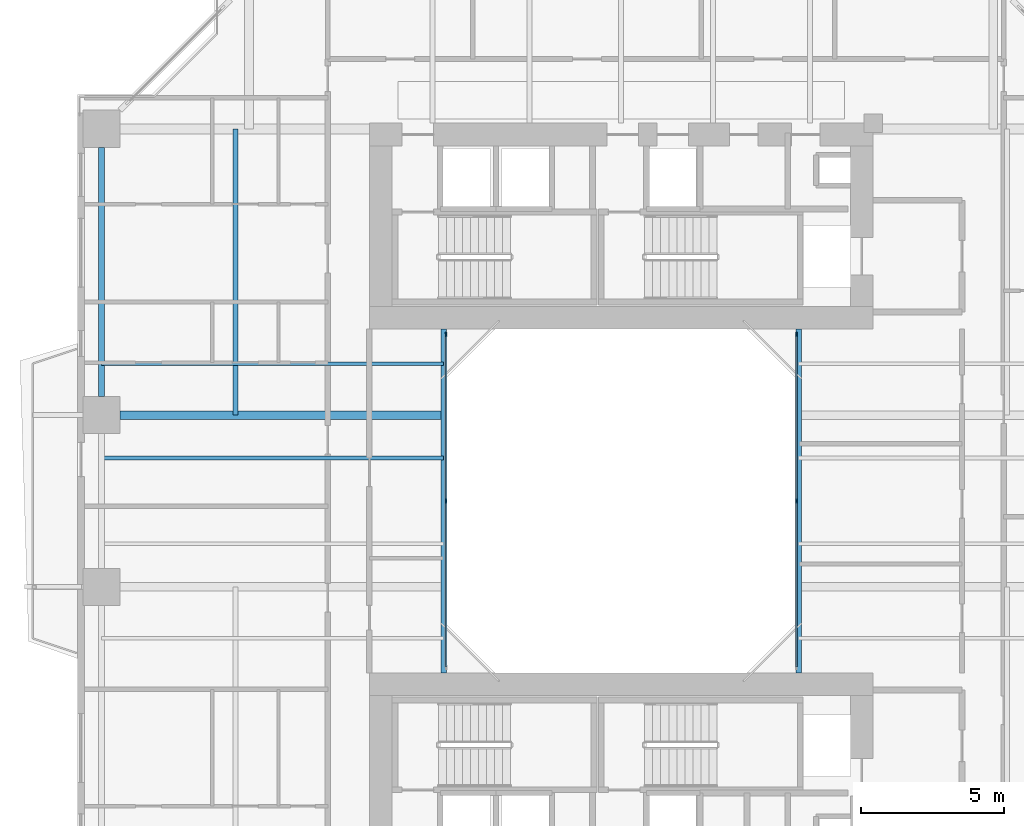
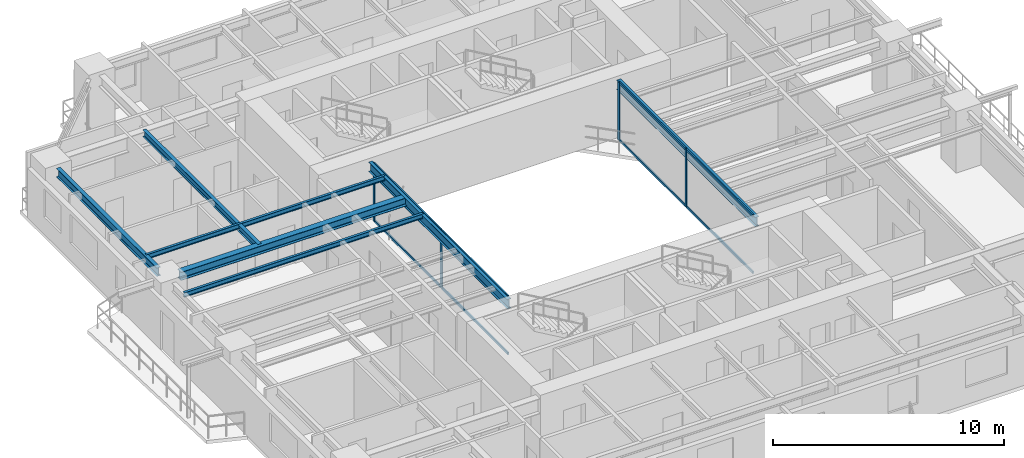
# One storey, part 4 of 23: 12 members, 7 beams, 2 elements without a shape of their own.
"""IFC4 building model written with IfcOpenShell, lengths in metres."""

from ifc_helpers import new_model, si_unit, direction, frame, origin, origin_2d, place, context, subcontext, project, spatial, rectangle, i_section, extrude, source, transform, mapped, material, layer, layer_set, material_profile, profile_set, type_object, element, aggregate, save


model = new_model("IFC4")

# Units and contexts
model_context = context("Model", 3, precision=1e-05, world=origin(), true_north=direction((0.0, 1.0)))
body_context = subcontext(model_context, "Body", "Model", "MODEL_VIEW")
ifc_project = project(units=[si_unit("LENGTHUNIT", "METRE"), si_unit("AREAUNIT", "SQUARE_METRE"), si_unit("VOLUMEUNIT", "CUBIC_METRE"), si_unit("PLANEANGLEUNIT", "RADIAN"), si_unit("MASSUNIT", "GRAM", prefix="KILO"), si_unit("THERMODYNAMICTEMPERATUREUNIT", "KELVIN"), si_unit("POWERUNIT", "WATT")], contexts=[model_context])

# Site, building, storey
site_placement = place(None, origin())
site = spatial("IfcSite", under=ifc_project, at=site_placement, CompositionType="ELEMENT")
building_placement = place(site_placement, origin())
building = spatial("IfcBuilding", under=site, at=building_placement, Name="Qiaomeng Ring Towers", CompositionType="ELEMENT")
storey_placement = place(building_placement, frame((0.0, 0.0, 66.5)))
storey = spatial("IfcBuildingStorey", under=building, at=storey_placement, Name="L18", CompositionType="ELEMENT", Elevation=66.5)

# Beams
ifc_material_1 = material(Name="Steel Q355B", Category="steel")
ifc_material_profile_1 = material_profile(ifc_material_1, i_section(OverallWidth=0.199951171875, OverallDepth=0.5, WebThickness=0.010009765625, FlangeThickness=0.01611328125, FilletRadius=0.02001953125, at=origin_2d()), Name="HN 500x200x10x16")
ifc_profile_set_1 = profile_set([ifc_material_profile_1], Name="Steel Q355B")
beam_type_1 = type_object("IfcBeamType", Name="STR-BM-HN500", PredefinedType="BEAM", material=ifc_profile_set_1)
shared_shape_1 = source(origin(), body_context, "Body", "SweptSolid", [
    extrude(i_section(OverallWidth=0.199951171875, OverallDepth=0.5, WebThickness=0.010009765625, FlangeThickness=0.01611328125, FilletRadius=0.02001953125, at=origin_2d()), origin(), (0.0, 0.0, 1.0), 12.0),
])
for number, where, z_axis, x_axis, name in (
    (1, (12.800048828125, 17.0, 2.820068359375), (0.0, 1.0, 0.0), (-1.0, 0.0, 0.0), "L18 beam STR-BM-L18-WELL-W"),
    (2, (25.199951171875, 17.0, 2.820068359375), (0.0, 1.0, 0.0), (-1.0, 0.0, 0.0), "L18 beam STR-BM-L18-WELL-E"),
):
    element("IfcBeam", number, at=place(storey_placement, frame(where, z_axis=z_axis, x_axis=x_axis)), inside=storey, type_object=beam_type_1, Name=name, PredefinedType="BEAM", context=body_context, shape_type="MappedRepresentation", body=[
        mapped(shared_shape_1, transform((0.0, 0.0, 0.0), x_axis=(1.0, 0.0, 0.0), y_axis=(0.0, 1.0, 0.0), z_axis=(0.0, 0.0, 1.0), scale=1.0)),
    ])
ifc_material_profile_2 = material_profile(ifc_material_1, i_section(OverallWidth=0.199951171875, OverallDepth=0.449951171875, WebThickness=0.009033203125, FlangeThickness=0.013916015625, FilletRadius=0.01806640625, at=origin_2d()), Name="HN 450x200x9x14")
ifc_profile_set_2 = profile_set([ifc_material_profile_2], Name="Steel Q355B")
beam_type_2 = type_object("IfcBeamType", Name="STR-BM-HN450", PredefinedType="SPANDREL", material=ifc_profile_set_2)
shared_shape_2 = source(origin(), body_context, "Body", "SweptSolid", [
    extrude(i_section(OverallWidth=0.199951171875, OverallDepth=0.449951171875, WebThickness=0.009033203125, FlangeThickness=0.013916015625, FilletRadius=0.01806640625, at=origin_2d()), origin(), (0.0, 0.0, 1.0), 8.7021484375),
])
beam_1_placement = place(storey_placement, frame((0.85009765625, 35.35107421875, 2.844970703125), z_axis=(0.0, -1.0, 0.0), x_axis=(1.0, 0.0, 0.0)))
element("IfcBeam", 3, at=beam_1_placement, inside=storey, type_object=beam_type_2, Name="L18 beam STR-SP-L18-T1-W4-W3", PredefinedType="SPANDREL", context=body_context, shape_type="MappedRepresentation", body=[
    mapped(shared_shape_2, transform((0.0, 0.0, 0.0), x_axis=(1.0, 0.0, 0.0), y_axis=(0.0, 1.0, 0.0), z_axis=(0.0, 0.0, 1.0), scale=1.0)),
])
ifc_material_profile_3 = material_profile(ifc_material_1, i_section(OverallWidth=0.300048828125, OverallDepth=0.43994140625, WebThickness=0.010986328125, FlangeThickness=0.01806640625, FilletRadius=0.02392578125, at=origin_2d()), Name="HM 440x300x11x18")
ifc_profile_set_3 = profile_set([ifc_material_profile_3], Name="Steel Q355B")
beam_type_3 = type_object("IfcBeamType", Name="STR-BM-HM440", PredefinedType="BEAM", material=ifc_profile_set_3)
shared_shape_3 = source(origin(), body_context, "Body", "SweptSolid", [
    extrude(i_section(OverallWidth=0.300048828125, OverallDepth=0.43994140625, WebThickness=0.010986328125, FlangeThickness=0.01806640625, FilletRadius=0.02392578125, at=origin_2d()), origin(), (0.0, 0.0, 1.0), 11.301025390625),
])
beam_2_placement = place(storey_placement, frame((1.4990234375, 26.0, 2.85009765625), z_axis=(1.0, 0.0, 0.0), x_axis=(0.0, 1.0, 0.0)))
element("IfcBeam", 4, at=beam_2_placement, inside=storey, type_object=beam_type_3, Name="L18 beam STR-BM-L18-T1-RAD-W3", PredefinedType="BEAM", context=body_context, shape_type="MappedRepresentation", body=[
    mapped(shared_shape_3, transform((0.0, 0.0, 0.0), x_axis=(1.0, 0.0, 0.0), y_axis=(0.0, 1.0, 0.0), z_axis=(0.0, 0.0, 1.0), scale=1.0)),
])
ifc_material_profile_4 = material_profile(ifc_material_1, i_section(OverallWidth=0.125, OverallDepth=0.25, WebThickness=0.006103515625, FlangeThickness=0.009033203125, FilletRadius=0.011962890625, at=origin_2d()), Name="HN 250x125x6x9")
ifc_profile_set_4 = profile_set([ifc_material_profile_4], Name="Steel Q355B")
beam_type_4 = type_object("IfcBeamType", Name="STR-BM-HN250", PredefinedType="JOIST", material=ifc_profile_set_4)
shared_shape_4 = source(origin(), body_context, "Body", "SweptSolid", [
    extrude(i_section(OverallWidth=0.125, OverallDepth=0.25, WebThickness=0.006103515625, FlangeThickness=0.009033203125, FilletRadius=0.011962890625, at=origin_2d()), origin(), (0.0, 0.0, 1.0), 11.949951171875),
])
for number, where, z_axis, x_axis, name in (
    (5, (0.85009765625, 24.5, 2.945068359375), (1.0, 0.0, 0.0), (0.0, 1.0, 0.0), "L18 beam STR-JST-L18-T1W-3"),
    (6, (0.85009765625, 27.800048828125, 2.945068359375), (1.0, 0.0, 0.0), (0.0, 1.0, 0.0), "L18 beam STR-JST-L18-T1W-4"),
):
    element("IfcBeam", number, at=place(storey_placement, frame(where, z_axis=z_axis, x_axis=x_axis)), inside=storey, type_object=beam_type_4, Name=name, PredefinedType="JOIST", context=body_context, shape_type="MappedRepresentation", body=[
        mapped(shared_shape_4, transform((0.0, 0.0, 0.0), x_axis=(1.0, 0.0, 0.0), y_axis=(0.0, 1.0, 0.0), z_axis=(0.0, 0.0, 1.0), scale=1.0)),
    ])
ifc_material_profile_5 = material_profile(ifc_material_1, i_section(OverallWidth=0.175048828125, OverallDepth=0.35009765625, WebThickness=0.007080078125, FlangeThickness=0.010986328125, FilletRadius=0.013916015625, at=origin_2d()), Name="HN 350x175x7x11")
ifc_profile_set_5 = profile_set([ifc_material_profile_5], Name="Steel Q355B")
beam_type_5 = type_object("IfcBeamType", Name="STR-BM-HN350", PredefinedType="JOIST", material=ifc_profile_set_5)
shared_shape_5 = source(origin(), body_context, "Body", "SweptSolid", [
    extrude(i_section(OverallWidth=0.175048828125, OverallDepth=0.35009765625, WebThickness=0.007080078125, FlangeThickness=0.010986328125, FilletRadius=0.013916015625, at=origin_2d()), origin(), (0.0, 0.0, 1.0), 10.0),
])
beam_3_placement = place(storey_placement, frame((5.52490234375, 26.0, 2.89501953125), z_axis=(0.0, 1.0, 0.0), x_axis=(-1.0, 0.0, 0.0)))
element("IfcBeam", 7, at=beam_3_placement, inside=storey, type_object=beam_type_5, Name="L18 beam STR-JST-L18-T1C-WN", PredefinedType="JOIST", context=body_context, shape_type="MappedRepresentation", body=[
    mapped(shared_shape_5, transform((0.0, 0.0, 0.0), x_axis=(1.0, 0.0, 0.0), y_axis=(0.0, 1.0, 0.0), z_axis=(0.0, 0.0, 1.0), scale=1.0)),
])

# Curtain wall, members
ifc_material_2 = material(Name="Fluorocarbon dark-grey aluminium", Category="aluminium")
ifc_layer = layer(ifc_material_2, 0.139892578125, Name="Fluorocarbon dark-grey aluminium")
ifc_layer_set = layer_set([ifc_layer], Name="Fluorocarbon dark-grey aluminium")
curtain_wall_type = type_object("IfcCurtainWallType", Name="ARC-CW-4", PredefinedType="NOTDEFINED", material=ifc_layer_set)
curtain_wall_1_placement = place(storey_placement, origin())
curtain_wall_1 = element("IfcCurtainWall", 8, at=curtain_wall_1_placement, inside=storey, type_object=curtain_wall_type, Name="L18 Curtain Wall CW4", PredefinedType="NOTDEFINED")
ifc_material_profile_6 = material_profile(ifc_material_2, rectangle(XDim=0.06494140625, YDim=0.159912109375, at=origin_2d()), Name="ALU MULL 65x160")
ifc_profile_set_6 = profile_set([ifc_material_profile_6], Name="Fluorocarbon dark-grey aluminium")
member_type_1 = type_object("IfcMemberType", Name="ARC-CWM-140", PredefinedType="MULLION", material=ifc_profile_set_6)
shared_shape_6 = source(origin(), body_context, "Body", "SweptSolid", [
    extrude(rectangle(XDim=0.06494140625, YDim=0.159912109375, at=origin_2d()), origin(), (0.0, 0.0, 1.0), 3.070068359375),
])
member_1_placement = place(storey_placement, frame((12.8798828125, 23.0, 0.0), z_axis=(0.0, 0.0, 1.0), x_axis=(-1.0, 0.0, 0.0)))
member_1 = element("IfcMember", 9, at=member_1_placement, type_object=member_type_1, Name="CW4 mullion 2", PredefinedType="MULLION", context=body_context, shape_type="MappedRepresentation", body=[
    mapped(shared_shape_6, transform((0.0, 0.0, 0.0), x_axis=(1.0, 0.0, 0.0), y_axis=(0.0, 1.0, 0.0), z_axis=(0.0, 0.0, 1.0), scale=1.0)),
])
member_2_placement = place(storey_placement, frame((12.8798828125, 28.8173828125, 0.0), z_axis=(0.0, 0.0, 1.0), x_axis=(-1.0, 0.0, 0.0)))
member_2 = element("IfcMember", 10, at=member_2_placement, type_object=member_type_1, Name="CW4 mullion 3", PredefinedType="MULLION", context=body_context, shape_type="MappedRepresentation", body=[
    mapped(shared_shape_6, transform((0.0, 0.0, 0.0), x_axis=(1.0, 0.0, 0.0), y_axis=(0.0, 1.0, 0.0), z_axis=(0.0, 0.0, 1.0), scale=1.0)),
])

curtain_wall_2_placement = place(storey_placement, origin())
curtain_wall_2 = element("IfcCurtainWall", 11, at=curtain_wall_2_placement, inside=storey, type_object=curtain_wall_type, Name="L18 Curtain Wall CW4", PredefinedType="NOTDEFINED")
member_3_placement = place(storey_placement, frame((25.1201171875, 23.0, 0.0), z_axis=(0.0, 0.0, 1.0), x_axis=(-1.0, 0.0, 0.0)))
member_3 = element("IfcMember", 12, at=member_3_placement, type_object=member_type_1, Name="CW4 mullion 2", PredefinedType="MULLION", context=body_context, shape_type="MappedRepresentation", body=[
    mapped(shared_shape_6, transform((0.0, 0.0, 0.0), x_axis=(1.0, 0.0, 0.0), y_axis=(0.0, 1.0, 0.0), z_axis=(0.0, 0.0, 1.0), scale=1.0)),
])
member_4_placement = place(storey_placement, frame((25.1201171875, 28.8173828125, 0.0), z_axis=(0.0, 0.0, 1.0), x_axis=(-1.0, 0.0, 0.0)))
member_4 = element("IfcMember", 13, at=member_4_placement, type_object=member_type_1, Name="CW4 mullion 3", PredefinedType="MULLION", context=body_context, shape_type="MappedRepresentation", body=[
    mapped(shared_shape_6, transform((0.0, 0.0, 0.0), x_axis=(1.0, 0.0, 0.0), y_axis=(0.0, 1.0, 0.0), z_axis=(0.0, 0.0, 1.0), scale=1.0)),
])

# Member
ifc_material_profile_7 = material_profile(ifc_material_2, rectangle(XDim=0.06494140625, YDim=0.1298828125, at=origin_2d()), Name="ALU TRAN 65x130")
ifc_profile_set_7 = profile_set([ifc_material_profile_7], Name="Fluorocarbon dark-grey aluminium")
member_type_2 = type_object("IfcMemberType", Name="ARC-CWT-120", PredefinedType="USERDEFINED", material=ifc_profile_set_7)
shared_shape_7 = source(origin(), body_context, "Body", "SweptSolid", [
    extrude(rectangle(XDim=0.06494140625, YDim=0.1298828125, at=origin_2d()), origin(), (0.0, 0.0, 1.0), 5.75244140625),
])
member_5_placement = place(storey_placement, frame((12.8798828125, 17.215087890625, 0.032470703125), z_axis=(0.0, 1.0, 0.0), x_axis=(-1.0, 0.0, 0.0)))
member_5 = element("IfcMember", 14, at=member_5_placement, type_object=member_type_2, Name="CW4 transom 1.1", ObjectType="TRANSOM", PredefinedType="USERDEFINED", context=body_context, shape_type="MappedRepresentation", body=[
    mapped(shared_shape_7, transform((0.0, 0.0, 0.0), x_axis=(1.0, 0.0, 0.0), y_axis=(0.0, 1.0, 0.0), z_axis=(0.0, 0.0, 1.0), scale=1.0)),
])

member_6_placement = place(storey_placement, frame((12.8798828125, 17.215087890625, 3.03759765625), z_axis=(0.0, 1.0, 0.0), x_axis=(-1.0, 0.0, 0.0)))
member_6 = element("IfcMember", 15, at=member_6_placement, type_object=member_type_2, Name="CW4 transom 1.2", ObjectType="TRANSOM", PredefinedType="USERDEFINED", context=body_context, shape_type="MappedRepresentation", body=[
    mapped(shared_shape_7, transform((0.0, 0.0, 0.0), x_axis=(1.0, 0.0, 0.0), y_axis=(0.0, 1.0, 0.0), z_axis=(0.0, 0.0, 1.0), scale=1.0)),
])

member_7_placement = place(storey_placement, frame((12.8798828125, 23.032470703125, 0.032470703125), z_axis=(0.0, 1.0, 0.0), x_axis=(-1.0, 0.0, 0.0)))
member_7 = element("IfcMember", 16, at=member_7_placement, type_object=member_type_2, Name="CW4 transom 2.1", ObjectType="TRANSOM", PredefinedType="USERDEFINED", context=body_context, shape_type="MappedRepresentation", body=[
    mapped(shared_shape_7, transform((0.0, 0.0, 0.0), x_axis=(1.0, 0.0, 0.0), y_axis=(0.0, 1.0, 0.0), z_axis=(0.0, 0.0, 1.0), scale=1.0)),
])

member_8_placement = place(storey_placement, frame((12.8798828125, 23.032470703125, 3.03759765625), z_axis=(0.0, 1.0, 0.0), x_axis=(-1.0, 0.0, 0.0)))
member_8 = element("IfcMember", 17, at=member_8_placement, type_object=member_type_2, Name="CW4 transom 2.2", ObjectType="TRANSOM", PredefinedType="USERDEFINED", context=body_context, shape_type="MappedRepresentation", body=[
    mapped(shared_shape_7, transform((0.0, 0.0, 0.0), x_axis=(1.0, 0.0, 0.0), y_axis=(0.0, 1.0, 0.0), z_axis=(0.0, 0.0, 1.0), scale=1.0)),
])

aggregate(curtain_wall_1, [member_1, member_2, member_5, member_6, member_7, member_8])

member_9_placement = place(storey_placement, frame((25.1201171875, 17.215087890625, 0.032470703125), z_axis=(0.0, 1.0, 0.0), x_axis=(-1.0, 0.0, 0.0)))
member_9 = element("IfcMember", 18, at=member_9_placement, type_object=member_type_2, Name="CW4 transom 1.1", ObjectType="TRANSOM", PredefinedType="USERDEFINED", context=body_context, shape_type="MappedRepresentation", body=[
    mapped(shared_shape_7, transform((0.0, 0.0, 0.0), x_axis=(1.0, 0.0, 0.0), y_axis=(0.0, 1.0, 0.0), z_axis=(0.0, 0.0, 1.0), scale=1.0)),
])

member_10_placement = place(storey_placement, frame((25.1201171875, 17.215087890625, 3.03759765625), z_axis=(0.0, 1.0, 0.0), x_axis=(-1.0, 0.0, 0.0)))
member_10 = element("IfcMember", 19, at=member_10_placement, type_object=member_type_2, Name="CW4 transom 1.2", ObjectType="TRANSOM", PredefinedType="USERDEFINED", context=body_context, shape_type="MappedRepresentation", body=[
    mapped(shared_shape_7, transform((0.0, 0.0, 0.0), x_axis=(1.0, 0.0, 0.0), y_axis=(0.0, 1.0, 0.0), z_axis=(0.0, 0.0, 1.0), scale=1.0)),
])

member_11_placement = place(storey_placement, frame((25.1201171875, 23.032470703125, 0.032470703125), z_axis=(0.0, 1.0, 0.0), x_axis=(-1.0, 0.0, 0.0)))
member_11 = element("IfcMember", 20, at=member_11_placement, type_object=member_type_2, Name="CW4 transom 2.1", ObjectType="TRANSOM", PredefinedType="USERDEFINED", context=body_context, shape_type="MappedRepresentation", body=[
    mapped(shared_shape_7, transform((0.0, 0.0, 0.0), x_axis=(1.0, 0.0, 0.0), y_axis=(0.0, 1.0, 0.0), z_axis=(0.0, 0.0, 1.0), scale=1.0)),
])

member_12_placement = place(storey_placement, frame((25.1201171875, 23.032470703125, 3.03759765625), z_axis=(0.0, 1.0, 0.0), x_axis=(-1.0, 0.0, 0.0)))
member_12 = element("IfcMember", 21, at=member_12_placement, type_object=member_type_2, Name="CW4 transom 2.2", ObjectType="TRANSOM", PredefinedType="USERDEFINED", context=body_context, shape_type="MappedRepresentation", body=[
    mapped(shared_shape_7, transform((0.0, 0.0, 0.0), x_axis=(1.0, 0.0, 0.0), y_axis=(0.0, 1.0, 0.0), z_axis=(0.0, 0.0, 1.0), scale=1.0)),
])

aggregate(curtain_wall_2, [member_3, member_4, member_9, member_10, member_11, member_12])

save(model, "model.ifc")
